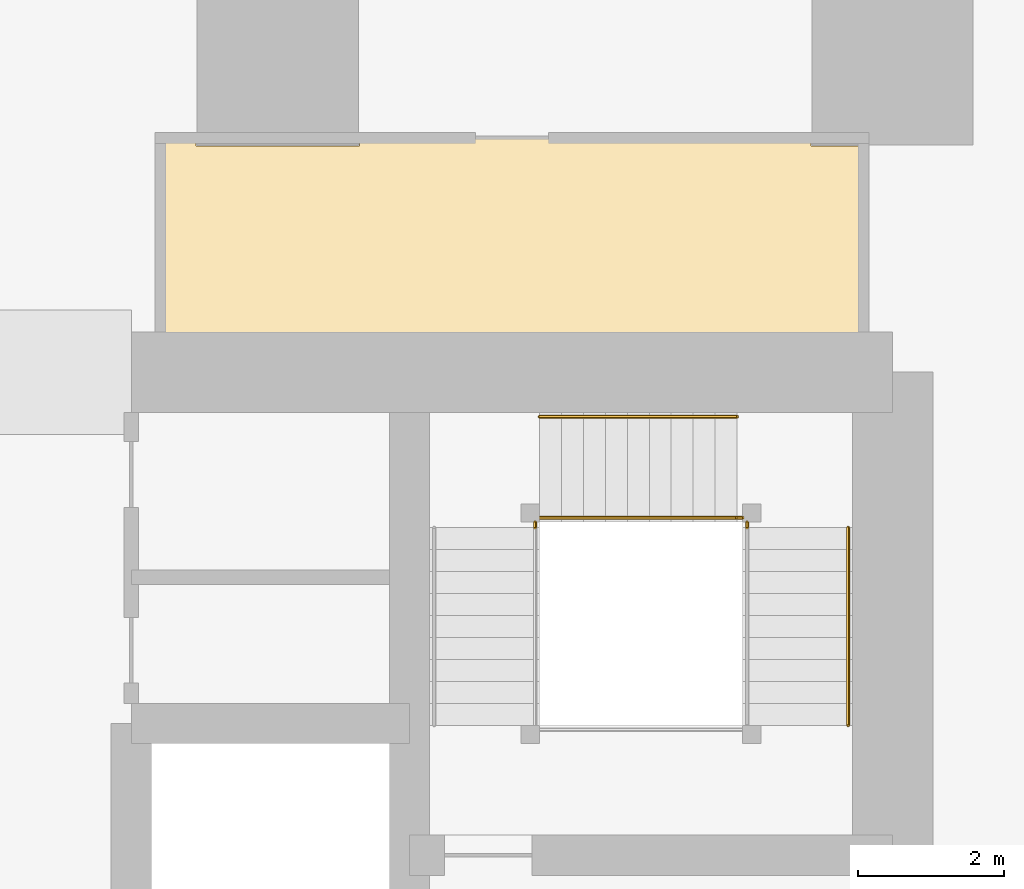
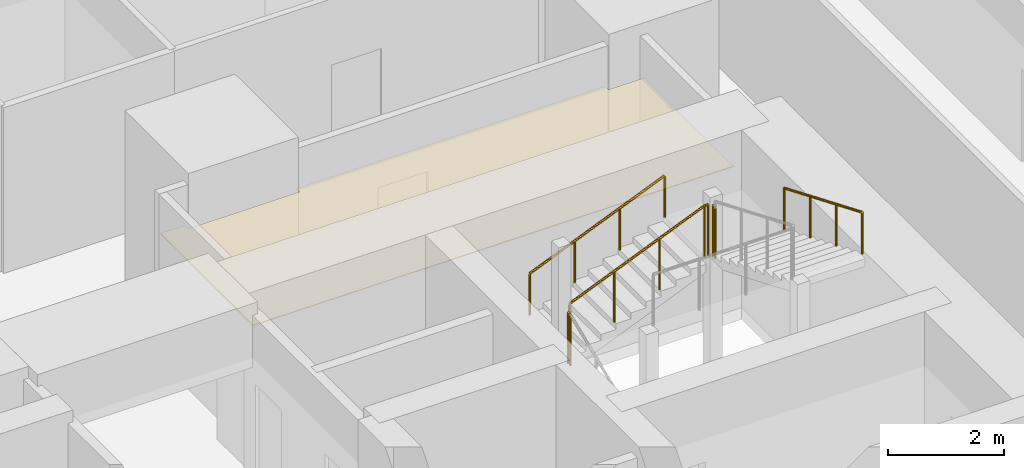
# One storey, part 43 of 44: 6 railings, 1 covering.
"""IFC4 building model written with IfcOpenShell, lengths in metres."""

import ifcopenshell
import ifcopenshell.guid

model = None  # the IFC model being written
_history = None  # IfcOwnerHistory: only IFC2X3 demands one
_inside = {}  # id of a spatial element -> (the spatial element, [elements in it])
_under = {}  # id of a project, library or spatial element -> (it, [spatial elements below it])
_declared = {}  # id of a project -> (the project, [libraries it declares])
_typed = {}  # id of a type object -> (the type object, [elements of that type])
_made_of = {}  # id of a material, layer set ... -> (it, [elements and type objects made of it])


def new_model(schema):
    """Start an empty IFC model of exactly this schema.

    Asked for "IFC4X3", IfcOpenShell would pick the latest addendum, in which some entities
    have other attributes; the version numbers below select the first issue.
    IFC2X3 requires an IfcOwnerHistory on every rooted entity: one is made here for all.
    """
    global model, _history
    if schema == "IFC4X3":
        model = ifcopenshell.file(schema_version=(4, 3, 0, 0))
    else:
        model = ifcopenshell.file(schema=schema)
    _inside.clear()
    _under.clear()
    _declared.clear()
    _typed.clear()
    _made_of.clear()
    _history = None
    if model.schema == "IFC2X3":
        org = make("IfcOrganization", Name="unknown")
        user = make(
            "IfcPersonAndOrganization",
            ThePerson=make("IfcPerson", FamilyName="unknown"),
            TheOrganization=org,
        )
        app = make(
            "IfcApplication",
            ApplicationDeveloper=org,
            Version="unknown",
            ApplicationFullName="unknown",
            ApplicationIdentifier="unknown",
        )
        _history = make(
            "IfcOwnerHistory",
            OwningUser=user,
            OwningApplication=app,
            ChangeAction="ADDED",
            CreationDate=0,
        )
    return model


def make(cls, **values):
    """One entity of the class cls with the attributes given. An attribute that is None is left unset."""
    return model.create_entity(
        cls, **{name: value for name, value in values.items() if value is not None}
    )


def rooted(cls, **values):
    """An entity with a GlobalId (a new one), such as an element, a storey or a relation."""
    return make(cls, GlobalId=ifcopenshell.guid.new(), OwnerHistory=_history, **values)


def si_unit(unit_type, name, prefix=None):
    """IfcSIUnit, for example si_unit("LENGTHUNIT", "METRE", prefix="MILLI")."""
    return make("IfcSIUnit", UnitType=unit_type, Prefix=prefix, Name=name)


def assignment(units):
    """IfcUnitAssignment: the units of a project."""
    return None if units is None else make("IfcUnitAssignment", Units=units)


def point(xyz):
    """IfcCartesianPoint."""
    return None if xyz is None else make("IfcCartesianPoint", Coordinates=xyz)


def direction(xyz):
    """IfcDirection."""
    return None if xyz is None else make("IfcDirection", DirectionRatios=xyz)


def frame(location, z_axis=None, x_axis=None):
    """IfcAxis2Placement3D, a coordinate frame: its origin and axes. An axis left out is left unset."""
    return make(
        "IfcAxis2Placement3D",
        Location=point(location),
        Axis=direction(z_axis),
        RefDirection=direction(x_axis),
    )


def frame_2d(location, x_axis=None):
    """IfcAxis2Placement2D, a coordinate frame in the plane: its origin and x axis."""
    return make(
        "IfcAxis2Placement2D", Location=point(location), RefDirection=direction(x_axis)
    )


def origin():
    """The frame at (0, 0, 0) with its axes left unset."""
    return frame((0.0, 0.0, 0.0))


def origin_2d():
    """The frame at (0, 0) in the plane with its x axis left unset."""
    return frame_2d((0.0, 0.0))


def place(relative_to, where):
    """IfcLocalPlacement: puts the frame where relative to a parent placement (None: the world)."""
    return make(
        "IfcLocalPlacement", PlacementRelTo=relative_to, RelativePlacement=where
    )


def context(
    kind, dimensions, precision=None, world=None, true_north=None, identifier=None
):
    """IfcGeometricRepresentationContext, for example the 3D "Model" context."""
    return make(
        "IfcGeometricRepresentationContext",
        ContextIdentifier=identifier,
        ContextType=kind,
        CoordinateSpaceDimension=dimensions,
        Precision=precision,
        WorldCoordinateSystem=world,
        TrueNorth=true_north,
    )


def subcontext(parent, identifier, kind, view, scale=None):
    """IfcGeometricRepresentationSubContext, for example "Body" below "Model"."""
    return make(
        "IfcGeometricRepresentationSubContext",
        ContextIdentifier=identifier,
        ContextType=kind,
        ParentContext=parent,
        TargetScale=scale,
        TargetView=view,
    )


def project(units=None, contexts=None):
    """IfcProject with its units and contexts."""
    return rooted(
        "IfcProject",
        Name="project",
        RepresentationContexts=contexts,
        UnitsInContext=assignment(units),
    )


def spatial(cls, under=None, at=None, **own):
    """A site, building, storey or space (cls), placed at a placement, below another one or the project."""
    s = rooted(cls, ObjectPlacement=at, **own)
    if under is not None:
        _under.setdefault(under.id(), (under, []))[1].append(s)
    return s


def polyline(points):
    """IfcPolyline through the points."""
    return make("IfcPolyline", Points=[point(p) for p in points])


def profile(cls, at=None, kind="AREA", **sizes):
    """A parametric profile (cls). Its sizes go by their IFC names, for example OverallWidth=200.0."""
    return make(cls, ProfileType=kind, Position=at, **sizes)


def circle(**sizes):
    """IfcCircleProfileDef."""
    return profile("IfcCircleProfileDef", **sizes)


def outline(outer, holes=None, kind="AREA"):
    """IfcArbitraryClosedProfileDef: a profile drawn as a closed curve; with holes, ...WithVoids."""
    if holes is None:
        return make("IfcArbitraryClosedProfileDef", ProfileType=kind, OuterCurve=outer)
    return make(
        "IfcArbitraryProfileDefWithVoids",
        ProfileType=kind,
        OuterCurve=outer,
        InnerCurves=holes,
    )


def extrude(swept, where, along, depth):
    """IfcExtrudedAreaSolid: the profile swept, set in the frame where, extruded along a direction by depth."""
    return make(
        "IfcExtrudedAreaSolid",
        SweptArea=swept,
        Position=where,
        ExtrudedDirection=direction(along),
        Depth=depth,
    )


def shape(context_of_items, identifier, shape_type, items):
    """IfcShapeRepresentation: the items that make up one representation, for example the "Body"."""
    return make(
        "IfcShapeRepresentation",
        ContextOfItems=context_of_items,
        RepresentationIdentifier=identifier,
        RepresentationType=shape_type,
        Items=items,
    )


def material(Name=None, Category=None):
    """IfcMaterial."""
    return make("IfcMaterial", Name=Name, Category=Category)


def layer(
    of_material, thickness, ventilated=None, Name=None, Category=None, Priority=None
):
    """IfcMaterialLayer: one layer of a wall or slab, of a material (None: an air gap)."""
    return make(
        "IfcMaterialLayer",
        Material=of_material,
        LayerThickness=thickness,
        IsVentilated=ventilated,
        Name=Name,
        Category=Category,
        Priority=Priority,
    )


def layer_set(layers, Name=None):
    """IfcMaterialLayerSet."""
    return make("IfcMaterialLayerSet", MaterialLayers=layers, LayerSetName=Name)


def made_of(thing, what):
    """Note that an element or type object is made of a material, layer set ...; save() writes the relation."""
    if what is not None:
        _made_of.setdefault(what.id(), (what, []))[1].append(thing)
    return thing


def type_object(cls, material=None, **own):
    """A type object (cls), such as IfcWallType, which elements share."""
    return made_of(rooted(cls, **own), material)


def element(
    cls,
    number,
    at=None,
    inside=None,
    cuts=None,
    type_object=None,
    material=None,
    context=None,
    identifier="Body",
    shape_type=None,
    held_by="IfcProductDefinitionShape",
    body=None,
    shapes=None,
    **own,
):
    """One element of the class cls, such as IfcWall. Its Tag is "e" and its number.

    at: its placement. inside: the storey or other place that contains it. cuts: it is an
    opening in that element (IfcRelVoidsElement). A single representation is given by context,
    identifier, shape_type and body (its items); several are given by shapes. held_by: the class
    of the entity that holds the representations. save() writes the other relations.
    """
    e = rooted(cls, Tag="e%d" % number, ObjectPlacement=at, **own)
    if body is not None:
        shapes = [shape(context, identifier, shape_type, body)]
    if shapes is not None:
        e.Representation = make(held_by, Representations=shapes)
    if inside is not None:
        _inside.setdefault(inside.id(), (inside, []))[1].append(e)
    if cuts is not None:
        rooted(
            "IfcRelVoidsElement", RelatingBuildingElement=cuts, RelatedOpeningElement=e
        )
    if type_object is not None:
        _typed.setdefault(type_object.id(), (type_object, []))[1].append(e)
    return made_of(e, material)


def aggregate(whole, parts):
    """IfcRelAggregates: a whole, such as a stair, and the parts it consists of."""
    return rooted("IfcRelAggregates", RelatingObject=whole, RelatedObjects=parts)


def save(model, path):
    """Write the relations noted so far, then the file.

    IfcRelAggregates (storeys below a building ...), IfcRelContainedInSpatialStructure (elements
    in a storey), IfcRelDefinesByType, IfcRelAssociatesMaterial and IfcRelDeclares: one each for
    every whole, place, type object, material and project.
    """
    for whole, parts in _under.values():
        aggregate(whole, parts)
    for where, things in _inside.values():
        rooted(
            "IfcRelContainedInSpatialStructure",
            RelatedElements=things,
            RelatingStructure=where,
        )
    for kind, things in _typed.values():
        rooted("IfcRelDefinesByType", RelatedObjects=things, RelatingType=kind)
    for what, things in _made_of.values():
        rooted("IfcRelAssociatesMaterial", RelatedObjects=things, RelatingMaterial=what)
    for by, libraries in _declared.values():
        rooted("IfcRelDeclares", RelatingContext=by, RelatedDefinitions=libraries)
    model.write(path)


model = new_model("IFC4")

# Units and contexts
model_context = context("Model", 3, precision=1e-05, world=origin(), true_north=direction((0.0, 1.0)))
body_context = subcontext(model_context, "Body", "Model", "MODEL_VIEW")
ifc_project = project(units=[si_unit("LENGTHUNIT", "METRE"), si_unit("AREAUNIT", "SQUARE_METRE"), si_unit("VOLUMEUNIT", "CUBIC_METRE"), si_unit("PLANEANGLEUNIT", "RADIAN"), si_unit("MASSUNIT", "GRAM", prefix="KILO")], contexts=[model_context])

# Site, building, storey
site_placement = place(None, origin())
site = spatial("IfcSite", under=ifc_project, at=site_placement, CompositionType="ELEMENT")
building_placement = place(site_placement, origin())
building = spatial("IfcBuilding", under=site, at=building_placement, Name="Rekha Terrace Tower", CompositionType="ELEMENT")
storey_placement = place(building_placement, frame((0.0, 0.0, 51.64990234375)))
storey = spatial("IfcBuildingStorey", under=building, at=storey_placement, Name="L12", CompositionType="ELEMENT", Elevation=51.64990234375)

# Covering
ifc_material_1 = material(Name="Fibre cement board", Category="finish")
ifc_layer = layer(ifc_material_1, 0.014892578125)
ifc_layer_set = layer_set([ifc_layer], Name="Fibre cement board")
covering_type = type_object("IfcCoveringType", Name="CL2 moisture-resistant board ceiling", PredefinedType="CEILING", material=ifc_layer_set)
covering_placement = place(storey_placement, frame((0.0, 0.0, 2.585205078125)))
element("IfcCovering", 1, at=covering_placement, inside=storey, type_object=covering_type, Name="Ceiling L12-WCF", PredefinedType="CEILING", context=body_context, shape_type="SweptSolid", body=[
    extrude(outline(polyline([(40.885009765625, 49.39990234375), (40.39990234375, 49.39990234375), (40.39990234375, 46.199951171875), (50.0, 46.199951171875), (50.0, 49.284912109375), (49.284912109375, 49.284912109375), (49.284912109375, 49.39990234375), (43.114990234375, 49.39990234375), (43.114990234375, 49.284912109375), (40.885009765625, 49.284912109375), (40.885009765625, 49.39990234375)])), origin(), (0.0, 0.0, 1.0), 0.014892578125),
])

# Railings
ifc_material_2 = material(Name="Stainless steel balustrade", Category="steel")
railing_type_1 = type_object("IfcRailingType", Name="GR1 1100 stair guard", PredefinedType="GUARDRAIL", material=ifc_material_2)
railing_1_placement = place(storey_placement, frame((45.574951171875, 44.2099609375, 1.375)))
element("IfcRailing", 2, at=railing_1_placement, inside=storey, type_object=railing_type_1, Name="Guard ST2 L12 flight 2", PredefinedType="GUARDRAIL", context=body_context, shape_type="SweptSolid", body=[
    extrude(circle(Radius=0.02392578125, at=origin_2d()), frame((0.0, 0.0, 1.076171875), z_axis=(0.923074453586, 0.0, 0.384621311341), x_axis=(0.0, 1.0, 0.0)), (0.0, 0.0, 1.0), 2.925048828125),
    extrude(circle(Radius=0.02099609375, at=origin_2d()), origin(), (0.0, 0.0, 1.0), 1.052001953125),
    extrude(circle(Radius=0.02099609375, at=origin_2d()), frame((0.89990234375, 0.0, 0.375)), (0.0, 0.0, 1.0), 1.052001953125),
    extrude(circle(Radius=0.02099609375, at=origin_2d()), frame((1.800048828125, 0.0, 0.75)), (0.0, 0.0, 1.0), 1.052001953125),
    extrude(circle(Radius=0.02099609375, at=origin_2d()), frame((2.699951171875, 0.0, 1.125)), (0.0, 0.0, 1.0), 1.052001953125),
])
railing_2_placement = place(storey_placement, frame((45.514892578125, 44.074951171875, 1.25)))
element("IfcRailing", 3, at=railing_2_placement, inside=storey, type_object=railing_type_1, Name="Guard ST2 L12 landing 1", PredefinedType="GUARDRAIL", context=body_context, shape_type="SweptSolid", body=[
    extrude(circle(Radius=0.02392578125, at=origin_2d()), frame((0.0, 0.0, 1.076171875), z_axis=(0.0, 1.0, 0.0), x_axis=(-1.0, 0.0, 0.0)), (0.0, 0.0, 1.0), 0.074951171875),
    extrude(circle(Radius=0.02099609375, at=origin_2d()), origin(), (0.0, 0.0, 1.0), 1.052001953125),
    extrude(circle(Radius=0.02099609375, at=origin_2d()), frame((0.0, 0.074951171875, 0.0)), (0.0, 0.0, 1.0), 1.052001953125),
])
railing_3_placement = place(storey_placement, frame((48.27490234375, 44.2099609375, 2.5)))
element("IfcRailing", 4, at=railing_3_placement, inside=storey, type_object=railing_type_1, Name="Guard ST2 L12 landing 2", PredefinedType="GUARDRAIL", context=body_context, shape_type="SweptSolid", body=[
    extrude(circle(Radius=0.02392578125, at=origin_2d()), frame((0.0, 0.0, 1.076171875), z_axis=(1.0, 0.0, 0.0), x_axis=(0.0, 1.0, 0.0)), (0.0, 0.0, 1.0), 0.0751953125),
    extrude(circle(Radius=0.02099609375, at=origin_2d()), origin(), (0.0, 0.0, 1.0), 1.052001953125),
    extrude(circle(Radius=0.02099609375, at=origin_2d()), frame((0.0751953125, 0.0, 0.0)), (0.0, 0.0, 1.0), 1.052001953125),
])
railing_4_placement = place(storey_placement, frame((48.409912109375, 44.074951171875, 2.5)))
element("IfcRailing", 5, at=railing_4_placement, inside=storey, type_object=railing_type_1, Name="Guard ST2 L12 landing 3", PredefinedType="GUARDRAIL", context=body_context, shape_type="SweptSolid", body=[
    extrude(circle(Radius=0.02392578125, at=origin_2d()), frame((0.0, 0.0, 1.076171875), z_axis=(0.0, 1.0, 0.0), x_axis=(-1.0, 0.0, 0.0)), (0.0, 0.0, 1.0), 0.074951171875),
    extrude(circle(Radius=0.02099609375, at=origin_2d()), origin(), (0.0, 0.0, 1.0), 1.052001953125),
    extrude(circle(Radius=0.02099609375, at=origin_2d()), frame((0.0, 0.074951171875, 0.0)), (0.0, 0.0, 1.0), 1.052001953125),
])
ifc_material_3 = material(Name="Stainless steel tube", Category="steel")
railing_type_2 = type_object("IfcRailingType", Name="HR1 900 stair handrail", PredefinedType="HANDRAIL", material=ifc_material_3)
railing_5_placement = place(storey_placement, frame((45.574951171875, 45.590087890625, 1.375)))
element("IfcRailing", 6, at=railing_5_placement, inside=storey, type_object=railing_type_2, Name="Handrail ST2 L12 flight 2", PredefinedType="HANDRAIL", context=body_context, shape_type="SweptSolid", body=[
    extrude(circle(Radius=0.02392578125, at=origin_2d()), frame((0.0, 0.0, 0.8759765625), z_axis=(0.923074453586, 0.0, 0.384621311341), x_axis=(0.0, 1.0, 0.0)), (0.0, 0.0, 1.0), 2.925048828125),
    extrude(circle(Radius=0.02099609375, at=origin_2d()), origin(), (0.0, 0.0, 1.0), 0.851806640625),
    extrude(circle(Radius=0.02099609375, at=origin_2d()), frame((0.89990234375, 0.0, 0.375)), (0.0, 0.0, 1.0), 0.851806640625),
    extrude(circle(Radius=0.02099609375, at=origin_2d()), frame((1.800048828125, 0.0, 0.75)), (0.0, 0.0, 1.0), 0.851806640625),
    extrude(circle(Radius=0.02099609375, at=origin_2d()), frame((2.699951171875, 0.0, 1.125)), (0.0, 0.0, 1.0), 0.851806640625),
])
railing_6_placement = place(storey_placement, frame((49.7900390625, 44.074951171875, 2.625)))
element("IfcRailing", 7, at=railing_6_placement, inside=storey, type_object=railing_type_2, Name="Handrail ST2 L12 flight 3", PredefinedType="HANDRAIL", context=body_context, shape_type="SweptSolid", body=[
    extrude(circle(Radius=0.02392578125, at=origin_2d()), frame((0.0, 0.0, 0.8759765625), z_axis=(0.0, -0.923074453586, 0.384621311341), x_axis=(1.0, 0.0, 0.0)), (0.0, 0.0, 1.0), 2.925048828125),
    extrude(circle(Radius=0.02099609375, at=origin_2d()), origin(), (0.0, 0.0, 1.0), 0.851806640625),
    extrude(circle(Radius=0.02099609375, at=origin_2d()), frame((0.0, -0.89990234375, 0.375)), (0.0, 0.0, 1.0), 0.851806640625),
    extrude(circle(Radius=0.02099609375, at=origin_2d()), frame((0.0, -1.800048828125, 0.75)), (0.0, 0.0, 1.0), 0.851806640625),
    extrude(circle(Radius=0.02099609375, at=origin_2d()), frame((0.0, -2.699951171875, 1.125)), (0.0, 0.0, 1.0), 0.851806640625),
])

save(model, "model.ifc")
